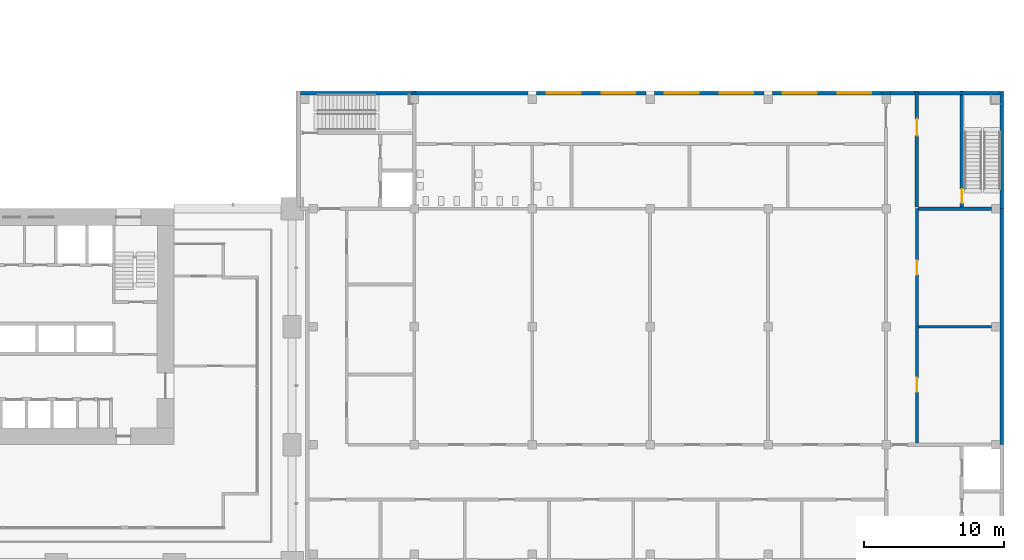
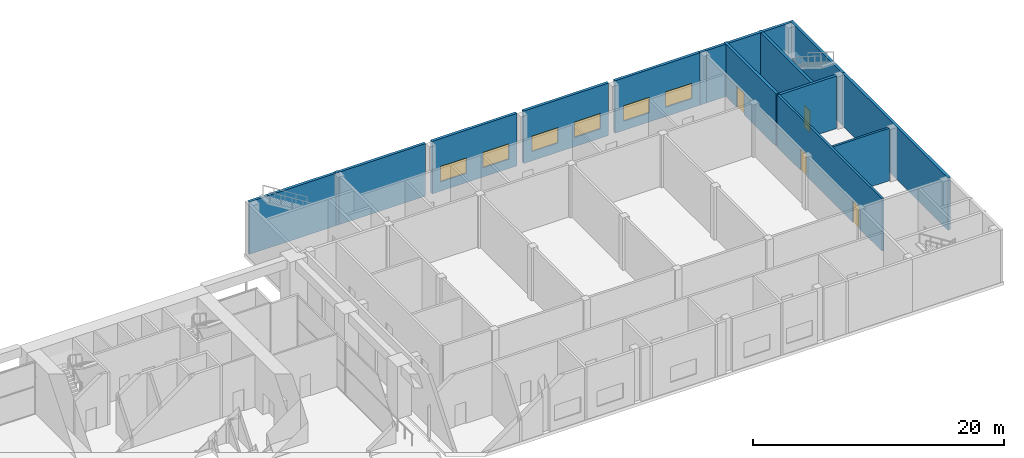
# One storey, part 22 of 33: 16 walls, 6 windows, 4 doors, 10 openings.
"""IFC4 building model written with IfcOpenShell, lengths in metres."""

from ifc_helpers import new_model, si_unit, direction, frame, frame_2d, origin, place, context, subcontext, project, spatial, rectangle, extrude, material, layer, layer_set, type_object, element, fill, save


model = new_model("IFC4")

# Units and contexts
model_context = context("Model", 3, precision=1e-05, world=origin(), true_north=direction((0.0, 1.0)))
body_context = subcontext(model_context, "Body", "Model", "MODEL_VIEW")
ifc_project = project(units=[si_unit("LENGTHUNIT", "METRE"), si_unit("AREAUNIT", "SQUARE_METRE"), si_unit("VOLUMEUNIT", "CUBIC_METRE"), si_unit("PLANEANGLEUNIT", "RADIAN"), si_unit("MASSUNIT", "GRAM", prefix="KILO")], contexts=[model_context])

# Site, building, storey
site_placement = place(None, origin())
site = spatial("IfcSite", under=ifc_project, at=site_placement, CompositionType="ELEMENT")
building_placement = place(site_placement, origin())
building = spatial("IfcBuilding", under=site, at=building_placement, Name="Vermilion Gate Residences", CompositionType="ELEMENT")
storey_placement = place(building_placement, frame((0.0, 0.0, 14.39990234375)))
storey = spatial("IfcBuildingStorey", under=building, at=storey_placement, Name="L02", CompositionType="ELEMENT", Elevation=14.39990234375)

# Wall
ifc_material_1 = material(Name="Insulated masonry", Category="masonry")
ifc_layer_1 = layer(ifc_material_1, 0.25)
ifc_layer_set_1 = layer_set([ifc_layer_1], Name="EXTERNAL WALL 250 MASONRY (MARKET HALL)")
wall_type_1 = type_object("IfcWallType", Name="EXTERNAL WALL 250 MASONRY (MARKET HALL)", PredefinedType="SOLIDWALL", material=ifc_layer_set_1)
wall_1_placement = place(storey_placement, frame((76.02490234375, 33.425048828125, 0.0), z_axis=(0.0, 0.0, 1.0), x_axis=(1.0, 0.0, 0.0)))
element("IfcWall", 1, at=wall_1_placement, inside=storey, type_object=wall_type_1, Name="External wall L02-30", PredefinedType="SOLIDWALL", context=body_context, shape_type="SweptSolid", body=[
    extrude(rectangle(XDim=7.97509765625, YDim=0.25, at=frame_2d((3.987548828125, 0.0))), origin(), (0.0, 0.0, 1.0), 5.10009765625),
])

# Wall, openings, windows
wall_2_placement = place(storey_placement, frame((84.60009765625, 33.425048828125, 0.0), z_axis=(0.0, 0.0, 1.0), x_axis=(1.0, 0.0, 0.0)))
wall_2 = element("IfcWall", 2, at=wall_2_placement, inside=storey, type_object=wall_type_1, Name="External wall L02-31", PredefinedType="SOLIDWALL", context=body_context, shape_type="SweptSolid", body=[
    extrude(rectangle(XDim=7.7998046875, YDim=0.25, at=frame_2d((3.89990234375, 0.0))), origin(), (0.0, 0.0, 1.0), 5.10009765625),
])
opening_1_placement = place(wall_2_placement, frame((0.75, 0.0, 0.89990234375)))
opening_1 = element("IfcOpeningElement", 3, at=opening_1_placement, cuts=wall_2, Name="Opening WH02006", PredefinedType="OPENING", context=body_context, shape_type="SweptSolid", body=[
    extrude(rectangle(XDim=2.39990234375, YDim=1.5, at=frame_2d((1.199951171875, 0.75))), frame((0.0, 0.135009765625, 0.0), z_axis=(0.0, -1.0, 0.0), x_axis=(1.0, 0.0, 0.0)), (0.0, 0.0, 1.0), 0.27001953125),
])
opening_2_placement = place(wall_2_placement, frame((4.64990234375, 0.0, 0.89990234375)))
opening_2 = element("IfcOpeningElement", 4, at=opening_2_placement, cuts=wall_2, Name="Opening WH02007", PredefinedType="OPENING", context=body_context, shape_type="SweptSolid", body=[
    extrude(rectangle(XDim=2.39990234375, YDim=1.5, at=frame_2d((1.199951171875, 0.75))), frame((0.0, 0.135009765625, 0.0), z_axis=(0.0, -1.0, 0.0), x_axis=(1.0, 0.0, 0.0)), (0.0, 0.0, 1.0), 0.27001953125),
])
ifc_material_2 = material(Name="Aluminium and glass", Category="aluminium")
window_type = type_object("IfcWindowType", Name="WINDOW 2400 X 1500 (MARKET HALL)", PartitioningType="DOUBLE_PANEL_VERTICAL", PredefinedType="WINDOW", material=ifc_material_2)
window_1_placement = place(opening_1_placement, origin())
window_1 = element("IfcWindow", 5, at=window_1_placement, inside=storey, type_object=window_type, Name="Window WH02006", OverallHeight=1.5, OverallWidth=2.39990234375, PartitioningType="DOUBLE_PANEL_VERTICAL", PredefinedType="WINDOW", context=body_context, shape_type="SweptSolid", body=[
    extrude(rectangle(XDim=2.39990234375, YDim=1.5, at=frame_2d((1.199951171875, 0.75))), frame((0.0, 0.030029296875, 0.0), z_axis=(0.0, -1.0, 0.0), x_axis=(1.0, 0.0, 0.0)), (0.0, 0.0, 1.0), 0.06005859375),
])
fill(opening_1, window_1)
window_2_placement = place(opening_2_placement, origin())
window_2 = element("IfcWindow", 6, at=window_2_placement, inside=storey, type_object=window_type, Name="Window WH02007", OverallHeight=1.5, OverallWidth=2.39990234375, PartitioningType="DOUBLE_PANEL_VERTICAL", PredefinedType="WINDOW", context=body_context, shape_type="SweptSolid", body=[
    extrude(rectangle(XDim=2.39990234375, YDim=1.5, at=frame_2d((1.199951171875, 0.75))), frame((0.0, 0.030029296875, 0.0), z_axis=(0.0, -1.0, 0.0), x_axis=(1.0, 0.0, 0.0)), (0.0, 0.0, 1.0), 0.06005859375),
])
fill(opening_2, window_2)

wall_3_placement = place(storey_placement, frame((93.0, 33.425048828125, 0.0), z_axis=(0.0, 0.0, 1.0), x_axis=(1.0, 0.0, 0.0)))
wall_3 = element("IfcWall", 7, at=wall_3_placement, inside=storey, type_object=wall_type_1, Name="External wall L02-32", PredefinedType="SOLIDWALL", context=body_context, shape_type="SweptSolid", body=[
    extrude(rectangle(XDim=7.800048828125, YDim=0.25, at=frame_2d((3.89990234375, 0.0))), origin(), (0.0, 0.0, 1.0), 5.10009765625),
])
opening_3_placement = place(wall_3_placement, frame((0.75, 0.0, 0.89990234375)))
opening_3 = element("IfcOpeningElement", 8, at=opening_3_placement, cuts=wall_3, Name="Opening WH02008", PredefinedType="OPENING", context=body_context, shape_type="SweptSolid", body=[
    extrude(rectangle(XDim=2.39990234375, YDim=1.5, at=frame_2d((1.199951171875, 0.75))), frame((0.0, 0.135009765625, 0.0), z_axis=(0.0, -1.0, 0.0), x_axis=(1.0, 0.0, 0.0)), (0.0, 0.0, 1.0), 0.27001953125),
])
opening_4_placement = place(wall_3_placement, frame((4.64990234375, 0.0, 0.89990234375)))
opening_4 = element("IfcOpeningElement", 9, at=opening_4_placement, cuts=wall_3, Name="Opening WH02009", PredefinedType="OPENING", context=body_context, shape_type="SweptSolid", body=[
    extrude(rectangle(XDim=2.39990234375, YDim=1.5, at=frame_2d((1.199951171875, 0.75))), frame((0.0, 0.135009765625, 0.0), z_axis=(0.0, -1.0, 0.0), x_axis=(1.0, 0.0, 0.0)), (0.0, 0.0, 1.0), 0.27001953125),
])
window_3_placement = place(opening_3_placement, origin())
window_3 = element("IfcWindow", 10, at=window_3_placement, inside=storey, type_object=window_type, Name="Window WH02008", OverallHeight=1.5, OverallWidth=2.39990234375, PartitioningType="DOUBLE_PANEL_VERTICAL", PredefinedType="WINDOW", context=body_context, shape_type="SweptSolid", body=[
    extrude(rectangle(XDim=2.39990234375, YDim=1.5, at=frame_2d((1.199951171875, 0.75))), frame((0.0, 0.030029296875, 0.0), z_axis=(0.0, -1.0, 0.0), x_axis=(1.0, 0.0, 0.0)), (0.0, 0.0, 1.0), 0.06005859375),
])
fill(opening_3, window_3)
window_4_placement = place(opening_4_placement, origin())
window_4 = element("IfcWindow", 11, at=window_4_placement, inside=storey, type_object=window_type, Name="Window WH02009", OverallHeight=1.5, OverallWidth=2.39990234375, PartitioningType="DOUBLE_PANEL_VERTICAL", PredefinedType="WINDOW", context=body_context, shape_type="SweptSolid", body=[
    extrude(rectangle(XDim=2.39990234375, YDim=1.5, at=frame_2d((1.199951171875, 0.75))), frame((0.0, 0.030029296875, 0.0), z_axis=(0.0, -1.0, 0.0), x_axis=(1.0, 0.0, 0.0)), (0.0, 0.0, 1.0), 0.06005859375),
])
fill(opening_4, window_4)

wall_4_placement = place(storey_placement, frame((101.39990234375, 33.425048828125, 0.0), z_axis=(0.0, 0.0, 1.0), x_axis=(1.0, 0.0, 0.0)))
wall_4 = element("IfcWall", 12, at=wall_4_placement, inside=storey, type_object=wall_type_1, Name="External wall L02-33", PredefinedType="SOLIDWALL", context=body_context, shape_type="SweptSolid", body=[
    extrude(rectangle(XDim=7.800048828125, YDim=0.25, at=frame_2d((3.89990234375, 0.0))), origin(), (0.0, 0.0, 1.0), 5.10009765625),
])
opening_5_placement = place(wall_4_placement, frame((0.75, 0.0, 0.89990234375)))
opening_5 = element("IfcOpeningElement", 13, at=opening_5_placement, cuts=wall_4, Name="Opening WH02010", PredefinedType="OPENING", context=body_context, shape_type="SweptSolid", body=[
    extrude(rectangle(XDim=2.39990234375, YDim=1.5, at=frame_2d((1.199951171875, 0.75))), frame((0.0, 0.135009765625, 0.0), z_axis=(0.0, -1.0, 0.0), x_axis=(1.0, 0.0, 0.0)), (0.0, 0.0, 1.0), 0.27001953125),
])
opening_6_placement = place(wall_4_placement, frame((4.64990234375, 0.0, 0.89990234375)))
opening_6 = element("IfcOpeningElement", 14, at=opening_6_placement, cuts=wall_4, Name="Opening WH02011", PredefinedType="OPENING", context=body_context, shape_type="SweptSolid", body=[
    extrude(rectangle(XDim=2.39990234375, YDim=1.5, at=frame_2d((1.199951171875, 0.75))), frame((0.0, 0.135009765625, 0.0), z_axis=(0.0, -1.0, 0.0), x_axis=(1.0, 0.0, 0.0)), (0.0, 0.0, 1.0), 0.27001953125),
])
window_5_placement = place(opening_5_placement, origin())
window_5 = element("IfcWindow", 15, at=window_5_placement, inside=storey, type_object=window_type, Name="Window WH02010", OverallHeight=1.5, OverallWidth=2.39990234375, PartitioningType="DOUBLE_PANEL_VERTICAL", PredefinedType="WINDOW", context=body_context, shape_type="SweptSolid", body=[
    extrude(rectangle(XDim=2.39990234375, YDim=1.5, at=frame_2d((1.199951171875, 0.75))), frame((0.0, 0.030029296875, 0.0), z_axis=(0.0, -1.0, 0.0), x_axis=(1.0, 0.0, 0.0)), (0.0, 0.0, 1.0), 0.06005859375),
])
fill(opening_5, window_5)
window_6_placement = place(opening_6_placement, origin())
window_6 = element("IfcWindow", 16, at=window_6_placement, inside=storey, type_object=window_type, Name="Window WH02011", OverallHeight=1.5, OverallWidth=2.39990234375, PartitioningType="DOUBLE_PANEL_VERTICAL", PredefinedType="WINDOW", context=body_context, shape_type="SweptSolid", body=[
    extrude(rectangle(XDim=2.39990234375, YDim=1.5, at=frame_2d((1.199951171875, 0.75))), frame((0.0, 0.030029296875, 0.0), z_axis=(0.0, -1.0, 0.0), x_axis=(1.0, 0.0, 0.0)), (0.0, 0.0, 1.0), 0.06005859375),
])
fill(opening_6, window_6)

# Walls
wall_5_placement = place(storey_placement, frame((109.199951171875, 33.425048828125, 0.0), z_axis=(0.0, 0.0, 1.0), x_axis=(1.0, 0.0, 0.0)))
element("IfcWall", 17, at=wall_5_placement, inside=storey, type_object=wall_type_1, Name="External wall L02-F1", PredefinedType="SOLIDWALL", context=body_context, shape_type="SweptSolid", body=[
    extrude(rectangle(XDim=0.60009765625, YDim=0.25, at=frame_2d((0.300048828125, 0.0))), origin(), (0.0, 0.0, 1.0), 5.10009765625),
])
wall_6_placement = place(storey_placement, frame((109.800048828125, 33.425048828125, 0.0), z_axis=(0.0, 0.0, 1.0), x_axis=(1.0, 0.0, 0.0)))
element("IfcWall", 18, at=wall_6_placement, inside=storey, type_object=wall_type_1, Name="External wall L02-34", PredefinedType="SOLIDWALL", context=body_context, shape_type="SweptSolid", body=[
    extrude(rectangle(XDim=1.77490234375, YDim=0.25, at=frame_2d((0.887451171875, 0.0))), origin(), (0.0, 0.0, 1.0), 5.10009765625),
])
wall_7_placement = place(storey_placement, frame((117.72509765625, 8.39990234375, 0.0), z_axis=(0.0, 0.0, 1.0), x_axis=(0.0, 1.0, 0.0)))
element("IfcWall", 19, at=wall_7_placement, inside=storey, type_object=wall_type_1, Name="External wall L02-71", PredefinedType="SOLIDWALL", context=body_context, shape_type="SweptSolid", body=[
    extrude(rectangle(XDim=16.800048828125, YDim=0.25, at=frame_2d((8.39990234375, 0.0))), origin(), (0.0, 0.0, 1.0), 5.10009765625),
])
ifc_material_3 = material(Name="Masonry", Category="masonry")
ifc_layer_2 = layer(ifc_material_3, 0.199951171875)
ifc_layer_set_2 = layer_set([ifc_layer_2], Name="PARTITION 200 MASONRY EI 60 (MARKET HALL)")
wall_type_2 = type_object("IfcWallType", Name="PARTITION 200 MASONRY EI 60 (MARKET HALL)", PredefinedType="PARTITIONING", material=ifc_layer_set_2)
wall_8_placement = place(storey_placement, frame((111.800048828125, 16.800048828125, 0.0), z_axis=(0.0, 0.0, 1.0), x_axis=(1.0, 0.0, 0.0)))
element("IfcWall", 20, at=wall_8_placement, inside=storey, type_object=wall_type_2, Name="Partition wall L02-17", PredefinedType="PARTITIONING", context=body_context, shape_type="SweptSolid", body=[
    extrude(rectangle(XDim=5.199951171875, YDim=0.199951171875, at=frame_2d((2.60009765625, 0.0))), origin(), (0.0, 0.0, 1.0), 5.10009765625),
])

# Wall, openings, doors
wall_9_placement = place(storey_placement, frame((111.699951171875, 8.52490234375, 0.0), z_axis=(0.0, 0.0, 1.0), x_axis=(0.0, 1.0, 0.0)))
wall_9 = element("IfcWall", 21, at=wall_9_placement, inside=storey, type_object=wall_type_2, Name="Partition wall L02-66", PredefinedType="PARTITIONING", context=body_context, shape_type="SweptSolid", body=[
    extrude(rectangle(XDim=16.675048828125, YDim=0.199951171875, at=frame_2d((8.33740234375, 0.0))), origin(), (0.0, 0.0, 1.0), 5.10009765625),
])
opening_7_placement = place(wall_9_placement, frame((3.637451171875, 0.0, 0.0)))
opening_7 = element("IfcOpeningElement", 22, at=opening_7_placement, cuts=wall_9, Name="Opening DH02024", PredefinedType="OPENING", context=body_context, shape_type="SweptSolid", body=[
    extrude(rectangle(XDim=1.0, YDim=2.10009765625, at=frame_2d((0.5, 1.050048828125))), frame((0.0, 0.10986328125, 0.0), z_axis=(0.0, -1.0, 0.0), x_axis=(1.0, 0.0, 0.0)), (0.0, 0.0, 1.0), 0.219970703125),
])
opening_8_placement = place(wall_9_placement, frame((11.97509765625, 0.0, 0.0)))
opening_8 = element("IfcOpeningElement", 23, at=opening_8_placement, cuts=wall_9, Name="Opening DH02025", PredefinedType="OPENING", context=body_context, shape_type="SweptSolid", body=[
    extrude(rectangle(XDim=1.0, YDim=2.10009765625, at=frame_2d((0.5, 1.050048828125))), frame((0.0, 0.10986328125, 0.0), z_axis=(0.0, -1.0, 0.0), x_axis=(1.0, 0.0, 0.0)), (0.0, 0.0, 1.0), 0.219970703125),
])
ifc_material_4 = material(Name="Steel", Category="steel")
door_type_1 = type_object("IfcDoorType", Name="FIRE DOOR FD30 1000 X 2100 (MARKET HALL)", OperationType="SINGLE_SWING_LEFT", PredefinedType="DOOR", material=ifc_material_4)
door_1_placement = place(opening_7_placement, frame((1.0, 0.0, 0.0), z_axis=(0.0, 0.0, 1.0), x_axis=(-1.0, 0.0, 0.0)))
door_1 = element("IfcDoor", 24, at=door_1_placement, inside=storey, type_object=door_type_1, Name="Fire door DH02024", OperationType="SINGLE_SWING_RIGHT", OverallHeight=2.10009765625, OverallWidth=1.0, PredefinedType="DOOR", context=body_context, shape_type="SweptSolid", body=[
    extrude(rectangle(XDim=1.0, YDim=2.10009765625, at=frame_2d((0.5, 1.050048828125))), frame((0.0, 0.02490234375, 0.0), z_axis=(0.0, -1.0, 0.0), x_axis=(1.0, 0.0, 0.0)), (0.0, 0.0, 1.0), 0.050048828125),
])
fill(opening_7, door_1)
door_2_placement = place(opening_8_placement, frame((1.0, 0.0, 0.0), z_axis=(0.0, 0.0, 1.0), x_axis=(-1.0, 0.0, 0.0)))
door_2 = element("IfcDoor", 25, at=door_2_placement, inside=storey, type_object=door_type_1, Name="Fire door DH02025", OperationType="SINGLE_SWING_RIGHT", OverallHeight=2.10009765625, OverallWidth=1.0, PredefinedType="DOOR", context=body_context, shape_type="SweptSolid", body=[
    extrude(rectangle(XDim=1.0, YDim=2.10009765625, at=frame_2d((0.5, 1.050048828125))), frame((0.0, 0.02490234375, 0.0), z_axis=(0.0, -1.0, 0.0), x_axis=(1.0, 0.0, 0.0)), (0.0, 0.0, 1.0), 0.050048828125),
])
fill(opening_8, door_2)

# Walls
ifc_material_5 = material(Name="Concrete C45", Category="concrete")
ifc_layer_3 = layer(ifc_material_5, 0.25)
ifc_layer_set_3 = layer_set([ifc_layer_3], Name="RC CORE WALL 250 C45 (MARKET HALL)")
wall_type_3 = type_object("IfcWallType", Name="RC CORE WALL 250 C45 (MARKET HALL)", PredefinedType="SHEAR", material=ifc_layer_set_3)
wall_10_placement = place(storey_placement, frame((111.824951171875, 25.199951171875, 0.0), z_axis=(0.0, 0.0, 1.0), x_axis=(1.0, 0.0, 0.0)))
element("IfcWall", 26, at=wall_10_placement, inside=storey, type_object=wall_type_3, Name="Core wall L02-25", PredefinedType="SHEAR", context=body_context, shape_type="SweptSolid", body=[
    extrude(rectangle(XDim=5.175048828125, YDim=0.25, at=frame_2d((2.58740234375, 0.0))), origin(), (0.0, 0.0, 1.0), 5.10009765625),
])
wall_11_placement = place(storey_placement, frame((67.800048828125, 33.425048828125, 0.0), z_axis=(0.0, 0.0, 1.0), x_axis=(1.0, 0.0, 0.0)))
element("IfcWall", 27, at=wall_11_placement, inside=storey, type_object=wall_type_3, Name="Core wall L02-29", PredefinedType="SHEAR", context=body_context, shape_type="SweptSolid", body=[
    extrude(rectangle(XDim=7.974853515625, YDim=0.25, at=frame_2d((3.9873046875, 0.0))), origin(), (0.0, 0.0, 1.0), 5.10009765625),
])
wall_12_placement = place(storey_placement, frame((111.824951171875, 33.425048828125, 0.0), z_axis=(0.0, 0.0, 1.0), x_axis=(1.0, 0.0, 0.0)))
element("IfcWall", 28, at=wall_12_placement, inside=storey, type_object=wall_type_3, Name="Core wall L02-35", PredefinedType="SHEAR", context=body_context, shape_type="SweptSolid", body=[
    extrude(rectangle(XDim=5.775146484375, YDim=0.25, at=frame_2d((2.8876953125, 0.0))), origin(), (0.0, 0.0, 1.0), 5.10009765625),
])
wall_13_placement = place(storey_placement, frame((75.89990234375, 33.300048828125, 0.0), z_axis=(0.0, 0.0, 1.0), x_axis=(0.0, 1.0, 0.0)))
element("IfcWall", 29, at=wall_13_placement, inside=storey, type_object=wall_type_3, Name="Core wall L02-44", PredefinedType="SHEAR", context=body_context, shape_type="SweptSolid", body=[
    extrude(rectangle(XDim=0.300048828125, YDim=0.25, at=frame_2d((0.14990234375, 0.0))), origin(), (0.0, 0.0, 1.0), 5.10009765625),
])

# Wall, opening, door
wall_14_placement = place(storey_placement, frame((111.699951171875, 25.324951171875, 0.0), z_axis=(0.0, 0.0, 1.0), x_axis=(0.0, 1.0, 0.0)))
wall_14 = element("IfcWall", 30, at=wall_14_placement, inside=storey, type_object=wall_type_3, Name="Core wall L02-67", PredefinedType="SHEAR", context=body_context, shape_type="SweptSolid", body=[
    extrude(rectangle(XDim=8.275146484375, YDim=0.25, at=frame_2d((4.1376953125, 0.0))), origin(), (0.0, 0.0, 1.0), 5.10009765625),
])
opening_9_placement = place(wall_14_placement, frame((5.074951171875, 0.0, 0.0)))
opening_9 = element("IfcOpeningElement", 31, at=opening_9_placement, cuts=wall_14, Name="Opening DH02026", PredefinedType="OPENING", context=body_context, shape_type="SweptSolid", body=[
    extrude(rectangle(XDim=1.199951171875, YDim=2.10009765625, at=frame_2d((0.60009765625, 1.050048828125))), frame((0.0, 0.135009765625, 0.0), z_axis=(0.0, -1.0, 0.0), x_axis=(1.0, 0.0, 0.0)), (0.0, 0.0, 1.0), 0.27001953125),
])
ifc_material_6 = material(Name="Steel", Category="steel")
door_type_2 = type_object("IfcDoorType", Name="FIRE DOOR FD60 1200 X 2100 (MARKET HALL)", OperationType="SINGLE_SWING_LEFT", PredefinedType="DOOR", material=ifc_material_6)
door_3_placement = place(opening_9_placement, frame((1.199951171875, 0.0, 0.0), z_axis=(0.0, 0.0, 1.0), x_axis=(-1.0, 0.0, 0.0)))
door_3 = element("IfcDoor", 32, at=door_3_placement, inside=storey, type_object=door_type_2, Name="Lobby fire door DH02026", OperationType="SINGLE_SWING_LEFT", OverallHeight=2.10009765625, OverallWidth=1.199951171875, PredefinedType="DOOR", context=body_context, shape_type="SweptSolid", body=[
    extrude(rectangle(XDim=1.199951171875, YDim=2.10009765625, at=frame_2d((0.60009765625, 1.050048828125))), frame((0.0, 0.02490234375, 0.0), z_axis=(0.0, -1.0, 0.0), x_axis=(1.0, 0.0, 0.0)), (0.0, 0.0, 1.0), 0.050048828125),
])
fill(opening_9, door_3)

wall_15_placement = place(storey_placement, frame((114.89990234375, 25.324951171875, 0.0), z_axis=(0.0, 0.0, 1.0), x_axis=(0.0, 1.0, 0.0)))
wall_15 = element("IfcWall", 33, at=wall_15_placement, inside=storey, type_object=wall_type_3, Name="Core wall L02-69", PredefinedType="SHEAR", context=body_context, shape_type="SweptSolid", body=[
    extrude(rectangle(XDim=8.275146484375, YDim=0.25, at=frame_2d((4.1376953125, 0.0))), origin(), (0.0, 0.0, 1.0), 5.10009765625),
])
opening_10_placement = place(wall_15_placement, frame((0.27490234375, 0.0, 0.0)))
opening_10 = element("IfcOpeningElement", 34, at=opening_10_placement, cuts=wall_15, Name="Opening DH02001", PredefinedType="OPENING", context=body_context, shape_type="SweptSolid", body=[
    extrude(rectangle(XDim=1.0, YDim=2.10009765625, at=frame_2d((0.5, 1.050048828125))), frame((0.0, 0.135009765625, 0.0), z_axis=(0.0, -1.0, 0.0), x_axis=(1.0, 0.0, 0.0)), (0.0, 0.0, 1.0), 0.27001953125),
])
ifc_material_7 = material(Name="Steel", Category="steel")
door_type_3 = type_object("IfcDoorType", Name="STAIR DOOR FD60 1000 X 2100 (MARKET HALL)", OperationType="SINGLE_SWING_LEFT", PredefinedType="DOOR", material=ifc_material_7)
door_4_placement = place(opening_10_placement, frame((1.0, 0.0, 0.0), z_axis=(0.0, 0.0, 1.0), x_axis=(-1.0, 0.0, 0.0)))
door_4 = element("IfcDoor", 35, at=door_4_placement, inside=storey, type_object=door_type_3, Name="Stair door DH02001", OperationType="SINGLE_SWING_LEFT", OverallHeight=2.10009765625, OverallWidth=1.0, PredefinedType="DOOR", context=body_context, shape_type="SweptSolid", body=[
    extrude(rectangle(XDim=1.0, YDim=2.10009765625, at=frame_2d((0.5, 1.050048828125))), frame((0.0, 0.02490234375, 0.0), z_axis=(0.0, -1.0, 0.0), x_axis=(1.0, 0.0, 0.0)), (0.0, 0.0, 1.0), 0.050048828125),
])
fill(opening_10, door_4)

# Wall
wall_16_placement = place(storey_placement, frame((117.72509765625, 25.199951171875, 0.0), z_axis=(0.0, 0.0, 1.0), x_axis=(0.0, 1.0, 0.0)))
element("IfcWall", 36, at=wall_16_placement, inside=storey, type_object=wall_type_3, Name="Core wall L02-72", PredefinedType="SHEAR", context=body_context, shape_type="SweptSolid", body=[
    extrude(rectangle(XDim=8.35009765625, YDim=0.25, at=frame_2d((4.175048828125, 0.0))), origin(), (0.0, 0.0, 1.0), 5.10009765625),
])

save(model, "model.ifc")
